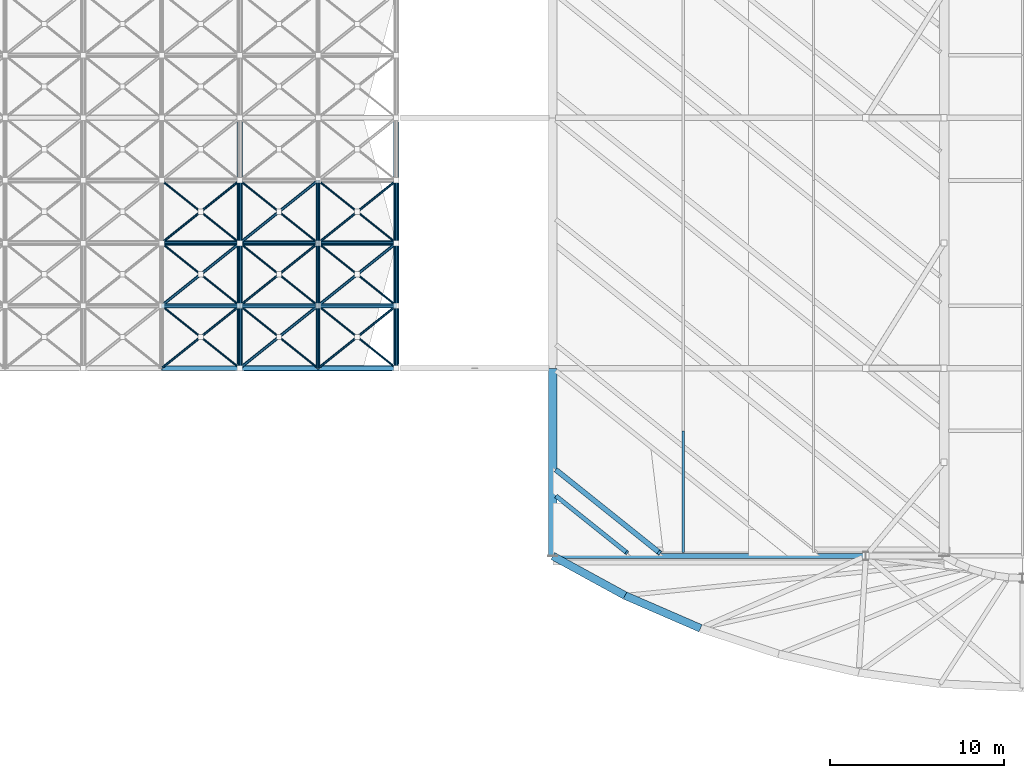
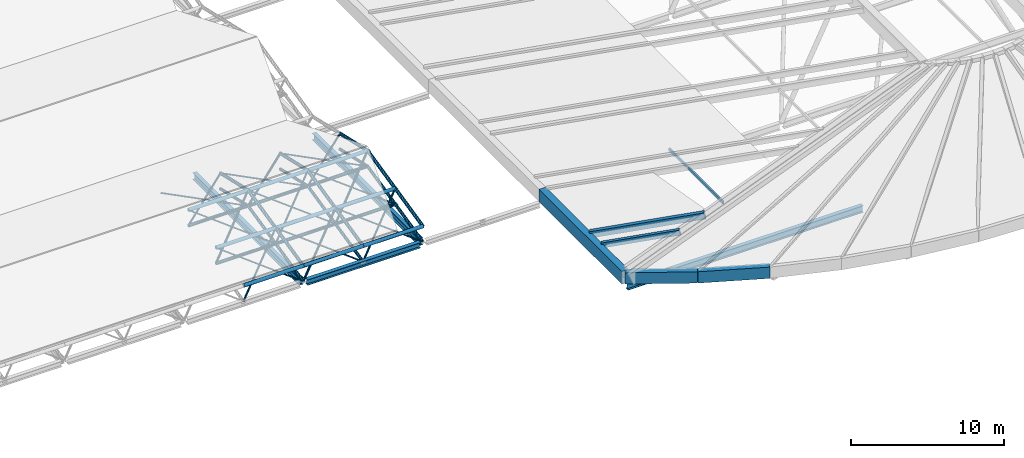
# One storey, part 12 of 110: 61 members, 9 beams.
"""IFC4 building model written with IfcOpenShell, lengths in metres."""

from ifc_helpers import new_model, si_unit, direction, frame, origin, origin_2d, place, context, subcontext, project, spatial, hollow_rectangle, hollow_circle, i_section, extrude, material, material_profile, profile_set, type_object, element, save


model = new_model("IFC4")

# Units and contexts
model_context = context("Model", 3, precision=1e-05, world=origin(), true_north=direction((0.0, 1.0)))
body_context = subcontext(model_context, "Body", "Model", "MODEL_VIEW")
ifc_project = project(units=[si_unit("LENGTHUNIT", "METRE"), si_unit("AREAUNIT", "SQUARE_METRE"), si_unit("VOLUMEUNIT", "CUBIC_METRE"), si_unit("PLANEANGLEUNIT", "RADIAN"), si_unit("MASSUNIT", "GRAM", prefix="KILO")], contexts=[model_context])

# Site, building, storey
site_placement = place(None, origin())
site = spatial("IfcSite", under=ifc_project, at=site_placement, CompositionType="ELEMENT")
building_placement = place(site_placement, origin())
building = spatial("IfcBuilding", under=site, at=building_placement, Name="Tamarisk Ironworks Central Station", CompositionType="ELEMENT")
storey_placement = place(building_placement, frame((0.0, 0.0, 17.39990234375)))
storey = spatial("IfcBuildingStorey", under=building, at=storey_placement, Name="L03", CompositionType="ELEMENT", Elevation=17.39990234375)

# Beams
ifc_material_1 = material(Name="Painted structural steel S355J2", Category="steel")
ifc_material_profile_1 = material_profile(ifc_material_1, hollow_rectangle(XDim=0.5, YDim=1.0, WallThickness=0.02197265625, at=origin_2d()), Name="BOX 500x1000x22")
ifc_profile_set_1 = profile_set([ifc_material_profile_1], Name="Painted structural steel S355J2")
beam_type_1 = type_object("IfcBeamType", Name="BM-EG01", PredefinedType="USERDEFINED", material=ifc_profile_set_1)
beam_1_placement = place(storey_placement, frame((54.0, 10.800048828125, -1.099853515625), z_axis=(0.0, 1.0, 0.0), x_axis=(-1.0, 0.0, 0.0)))
element("IfcBeam", 1, at=beam_1_placement, inside=storey, type_object=beam_type_1, Name="Concourse straight white eave girder W-001", ObjectType="TRANSFER GIRDER", PredefinedType="USERDEFINED", context=body_context, shape_type="SweptSolid", body=[
    extrude(hollow_rectangle(XDim=0.5, YDim=1.0, WallThickness=0.02197265625, at=origin_2d()), origin(), (0.0, 0.0, 1.0), 10.800048828125),
])
ifc_material_profile_2 = material_profile(ifc_material_1, hollow_rectangle(XDim=0.300048828125, YDim=0.5, WallThickness=0.02001953125, at=origin_2d()), Name="RHS 500x300x20")
ifc_profile_set_2 = profile_set([ifc_material_profile_2], Name="Painted structural steel S355J2")
beam_type_2 = type_object("IfcBeamType", Name="BM-FR01", PredefinedType="USERDEFINED", material=ifc_profile_set_2)
beam_2_placement = place(storey_placement, frame((60.125, 11.0, 1.566650390625), z_axis=(-0.74681070741, 0.597454746601, -0.292098601607), x_axis=(-0.624698988104, -0.780865656987, 0.0)))
element("IfcBeam", 2, at=beam_2_placement, inside=storey, type_object=beam_type_2, Name="Concourse paired 45-degree white fishbone roof rib 0115", ObjectType="FISHBONE ROOF RIB", PredefinedType="USERDEFINED", context=body_context, shape_type="SweptSolid", body=[
    extrude(hollow_rectangle(XDim=0.300048828125, YDim=0.5, WallThickness=0.02001953125, at=origin_2d()), origin(), (0.0, 0.0, 1.0), 7.900146484375),
])
ifc_material_profile_3 = material_profile(ifc_material_1, hollow_rectangle(XDim=0.25, YDim=0.39990234375, WallThickness=0.01611328125, at=origin_2d()), Name="RHS 400x250x16")
ifc_profile_set_3 = profile_set([ifc_material_profile_3], Name="Painted structural steel S355J2")
beam_type_3 = type_object("IfcBeamType", Name="BM-FR03", PredefinedType="USERDEFINED", material=ifc_profile_set_3)
beam_3_placement = place(storey_placement, frame((58.25, 11.0, 0.881103515625), z_axis=(-0.746810773753, 0.597457678942, -0.292092434136), x_axis=(-0.624700823792, -0.780864188418, 0.0)))
element("IfcBeam", 3, at=beam_3_placement, inside=storey, type_object=beam_type_3, Name="Concourse paired 45-degree white fishbone roof rib 0113", ObjectType="FISHBONE ROOF RIB", PredefinedType="USERDEFINED", context=body_context, shape_type="SweptSolid", body=[
    extrude(hollow_rectangle(XDim=0.25, YDim=0.39990234375, WallThickness=0.01611328125, at=origin_2d()), origin(), (0.0, 0.0, 1.0), 5.389404296875),
])
ifc_material_2 = material(Name="Structural steel S355J2", Category="steel")
ifc_material_profile_4 = material_profile(ifc_material_2, i_section(OverallWidth=0.300048828125, OverallDepth=0.5400390625, WebThickness=0.012451171875, FlangeThickness=0.02392578125, at=origin_2d()), Name="HEA 550")
ifc_profile_set_4 = profile_set([ifc_material_profile_4], Name="Structural steel S355J2")
beam_type_4 = type_object("IfcBeamType", Name="BM-G04", PredefinedType="BEAM", material=ifc_profile_set_4)
beam_4_placement = place(storey_placement, frame((36.0, 21.842041015625, -1.869873046875), z_axis=(0.0, 1.0, 0.0), x_axis=(-1.0, 0.0, 0.0)))
element("IfcBeam", 4, at=beam_4_placement, inside=storey, type_object=beam_type_4, Name="L03 primary girder Y-0598", PredefinedType="BEAM", context=body_context, shape_type="SweptSolid", body=[
    extrude(i_section(OverallWidth=0.300048828125, OverallDepth=0.5400390625, WebThickness=0.012451171875, FlangeThickness=0.02392578125, at=origin_2d()), origin(), (0.0, 0.0, 1.0), 13.916015625),
])
beam_5_placement = place(storey_placement, frame((45.0, 21.837890625, -1.869873046875), z_axis=(0.0, 1.0, 0.0), x_axis=(-1.0, 0.0, 0.0)))
element("IfcBeam", 5, at=beam_5_placement, inside=storey, type_object=beam_type_4, Name="L03 primary girder Y-0602", PredefinedType="BEAM", context=body_context, shape_type="SweptSolid", body=[
    extrude(i_section(OverallWidth=0.300048828125, OverallDepth=0.5400390625, WebThickness=0.012451171875, FlangeThickness=0.02392578125, at=origin_2d()), origin(), (0.0, 0.0, 1.0), 13.924072265625),
])
beam_6_placement = place(storey_placement, frame((54.139892578125, 10.800048828125, -1.869873046875), z_axis=(1.0, 0.0, 0.0), x_axis=(0.0, 1.0, 0.0)))
element("IfcBeam", 6, at=beam_6_placement, inside=storey, type_object=beam_type_4, Name="Concourse roof portal tie girder 017", PredefinedType="BEAM", context=body_context, shape_type="SweptSolid", body=[
    extrude(i_section(OverallWidth=0.300048828125, OverallDepth=0.5400390625, WebThickness=0.012451171875, FlangeThickness=0.02392578125, at=origin_2d()), origin(), (0.0, 0.0, 1.0), 17.72021484375),
])
ifc_material_profile_5 = material_profile(ifc_material_2, i_section(OverallWidth=0.300048828125, OverallDepth=0.43994140625, WebThickness=0.011474609375, FlangeThickness=0.02099609375, at=origin_2d()), Name="HEA 450")
ifc_profile_set_5 = profile_set([ifc_material_profile_5], Name="Structural steel S355J2")
beam_type_5 = type_object("IfcBeamType", Name="BM-G06", PredefinedType="BEAM", material=ifc_profile_set_5)
beam_7_placement = place(storey_placement, frame((36.241943359375, 21.60009765625, -1.81982421875), z_axis=(1.0, 0.0, 0.0), x_axis=(0.0, 1.0, 0.0)))
element("IfcBeam", 7, at=beam_7_placement, inside=storey, type_object=beam_type_5, Name="L03 primary girder X-0544", PredefinedType="BEAM", context=body_context, shape_type="SweptSolid", body=[
    extrude(i_section(OverallWidth=0.300048828125, OverallDepth=0.43994140625, WebThickness=0.011474609375, FlangeThickness=0.02099609375, at=origin_2d()), origin(), (0.0, 0.0, 1.0), 8.52001953125),
])
ifc_material_profile_6 = material_profile(ifc_material_1, hollow_rectangle(XDim=0.449951171875, YDim=0.89990234375, WallThickness=0.02001953125, at=origin_2d()), Name="BOX 450x900x20")
ifc_profile_set_6 = profile_set([ifc_material_profile_6], Name="Painted structural steel S355J2")
beam_type_6 = type_object("IfcBeamType", Name="BM-RG01", PredefinedType="USERDEFINED", material=ifc_profile_set_6)
for number, where, z_axis, x_axis, name in (
    (8, (54.0, 10.800048828125, -1.079833984375), (0.87736638631, -0.479821033483, 0.0), (0.479821033483, 0.87736638631, 0.0), "SOUTH rounded nose outer ring beam 01"),
    (9, (58.14990234375, 8.530517578125, -1.079833984375), (0.91733327399, -0.398120163307, 0.0), (0.398120163307, 0.91733327399, 0.0), "SOUTH rounded nose outer ring beam 02"),
):
    element("IfcBeam", number, at=place(storey_placement, frame(where, z_axis=z_axis, x_axis=x_axis)), inside=storey, type_object=beam_type_6, Name=name, ObjectType="TRANSFER GIRDER", PredefinedType="USERDEFINED", context=body_context, shape_type="SweptSolid", body=[
        extrude(hollow_rectangle(XDim=0.449951171875, YDim=0.89990234375, WallThickness=0.02001953125, at=origin_2d()), origin(), (0.0, 0.0, 1.0), 4.72998046875),
    ])

# Members
ifc_material_profile_7 = material_profile(ifc_material_1, hollow_rectangle(XDim=0.1201171875, YDim=0.219970703125, WallThickness=0.008056640625, at=origin_2d()), Name="RHS 220x120x8")
ifc_profile_set_7 = profile_set([ifc_material_profile_7], Name="Painted structural steel S355J2")
member_type_1 = type_object("IfcMemberType", Name="MB-PR01", PredefinedType="PURLIN", material=ifc_profile_set_7)
member_1_placement = place(storey_placement, frame((61.5, 11.0, 2.0693359375), z_axis=(0.0, 1.0, 0.0), x_axis=(-1.0, 0.0, 0.0)))
element("IfcMember", 10, at=member_1_placement, inside=storey, type_object=member_type_1, Name="Concourse roof glazing purlin 0029", PredefinedType="PURLIN", context=body_context, shape_type="SweptSolid", body=[
    extrude(hollow_rectangle(XDim=0.1201171875, YDim=0.219970703125, WallThickness=0.008056640625, at=origin_2d()), origin(), (0.0, 0.0, 1.0), 7.0),
])
ifc_material_3 = material(Name="Structural steel S355J2H", Category="steel")
ifc_material_profile_8 = material_profile(ifc_material_3, hollow_circle(Radius=0.136474609375, WallThickness=0.012451171875, at=origin_2d()), Name="CHS 273x12.5")
ifc_profile_set_8 = profile_set([ifc_material_profile_8], Name="Structural steel S355J2H")
member_type_2 = type_object("IfcMemberType", Name="MB-SFC01", PredefinedType="CHORD", material=ifc_profile_set_8)
for number, where, z_axis, x_axis, name in (
    (11, (31.5, 21.60009765625, -0.469970703125), (1.0, 0.0, 0.0), (0.0, 1.0, 0.0), "Train shed space-frame top chord 0082"),
    (12, (36.0, 21.60009765625, -0.469970703125), (1.0, 0.0, 0.0), (0.0, 1.0, 0.0), "Train shed space-frame top chord 0083"),
    (13, (40.5, 21.60009765625, -0.469970703125), (1.0, 0.0, 0.0), (0.0, 1.0, 0.0), "Train shed space-frame top chord 0084"),
    (14, (31.5, 25.199951171875, 0.35498046875), (1.0, 0.0, 0.0), (0.0, 1.0, 0.0), "Train shed space-frame top chord 0092"),
    (15, (36.0, 25.199951171875, 0.35498046875), (1.0, 0.0, 0.0), (0.0, 1.0, 0.0), "Train shed space-frame top chord 0093"),
    (16, (40.5, 25.199951171875, 0.35498046875), (1.0, 0.0, 0.0), (0.0, 1.0, 0.0), "Train shed space-frame top chord 0094"),
    (17, (31.5, 28.800048828125, 1.18017578125), (1.0, 0.0, 0.0), (0.0, 1.0, 0.0), "Train shed space-frame top chord 0102"),
    (18, (36.0, 28.800048828125, 1.18017578125), (1.0, 0.0, 0.0), (0.0, 1.0, 0.0), "Train shed space-frame top chord 0103"),
    (19, (40.5, 28.800048828125, 1.18017578125), (1.0, 0.0, 0.0), (0.0, 1.0, 0.0), "Train shed space-frame top chord 0104"),
):
    element("IfcMember", number, at=place(storey_placement, frame(where, z_axis=z_axis, x_axis=x_axis)), inside=storey, type_object=member_type_2, Name=name, PredefinedType="CHORD", context=body_context, shape_type="SweptSolid", body=[
        extrude(hollow_circle(Radius=0.136474609375, WallThickness=0.012451171875, at=origin_2d()), origin(), (0.0, 0.0, 1.0), 4.5),
    ])
ifc_material_profile_9 = material_profile(ifc_material_3, hollow_circle(Radius=0.122314453125, WallThickness=0.012451171875, at=origin_2d()), Name="CHS 244.5x12.5")
ifc_profile_set_9 = profile_set([ifc_material_profile_9], Name="Structural steel S355J2H")
member_type_3 = type_object("IfcMemberType", Name="MB-SFC02", PredefinedType="CHORD", material=ifc_profile_set_9)
for number, where, z_axis, x_axis, name in (
    (20, (31.5, 25.199951171875, -0.89501953125), (1.0, 0.0, 0.0), (0.0, 1.0, 0.0), "Train shed space-frame bottom chord 0008"),
    (21, (36.0, 25.199951171875, -0.89501953125), (1.0, 0.0, 0.0), (0.0, 1.0, 0.0), "Train shed space-frame bottom chord 0009"),
    (22, (40.5, 25.199951171875, -0.89501953125), (1.0, 0.0, 0.0), (0.0, 1.0, 0.0), "Train shed space-frame bottom chord 0010"),
    (23, (31.5, 28.800048828125, -0.06982421875), (1.0, 0.0, 0.0), (0.0, 1.0, 0.0), "Train shed space-frame bottom chord 0018"),
    (24, (36.0, 28.800048828125, -0.06982421875), (1.0, 0.0, 0.0), (0.0, 1.0, 0.0), "Train shed space-frame bottom chord 0019"),
    (25, (40.5, 28.800048828125, -0.06982421875), (1.0, 0.0, 0.0), (0.0, 1.0, 0.0), "Train shed space-frame bottom chord 0020"),
):
    element("IfcMember", number, at=place(storey_placement, frame(where, z_axis=z_axis, x_axis=x_axis)), inside=storey, type_object=member_type_3, Name=name, PredefinedType="CHORD", context=body_context, shape_type="SweptSolid", body=[
        extrude(hollow_circle(Radius=0.122314453125, WallThickness=0.012451171875, at=origin_2d()), origin(), (0.0, 0.0, 1.0), 4.5),
    ])
member_2_placement = place(storey_placement, frame((36.0, 21.60009765625, -0.469970703125), z_axis=(0.0, 0.974733218107, 0.223372230857), x_axis=(-1.0, 0.0, 0.0)))
element("IfcMember", 26, at=member_2_placement, inside=storey, type_object=member_type_3, Name="Train shed space-frame top transverse chord 0157", PredefinedType="CHORD", context=body_context, shape_type="SweptSolid", body=[
    extrude(hollow_circle(Radius=0.122314453125, WallThickness=0.012451171875, at=origin_2d()), origin(), (0.0, 0.0, 1.0), 3.693115234375),
])
member_3_placement = place(storey_placement, frame((36.0, 25.199951171875, 0.35498046875), z_axis=(0.0, 0.974722123001, 0.223420641241), x_axis=(-1.0, 0.0, 0.0)))
element("IfcMember", 27, at=member_3_placement, inside=storey, type_object=member_type_3, Name="Train shed space-frame top transverse chord 0158", PredefinedType="CHORD", context=body_context, shape_type="SweptSolid", body=[
    extrude(hollow_circle(Radius=0.122314453125, WallThickness=0.012451171875, at=origin_2d()), origin(), (0.0, 0.0, 1.0), 3.693359375),
])
for number, where, z_axis, x_axis, name in (
    (28, (36.0, 28.800048828125, 1.18017578125), (0.0, 0.974718823144, -0.223435037113), (-1.0, 0.0, 0.0), "Train shed space-frame top transverse chord 0159"),
    (29, (40.5, 21.60009765625, -0.469970703125), (0.0, 0.974733218107, 0.223372230857), (-1.0, 0.0, 0.0), "Train shed space-frame top transverse chord 0161"),
):
    element("IfcMember", number, at=place(storey_placement, frame(where, z_axis=z_axis, x_axis=x_axis)), inside=storey, type_object=member_type_3, Name=name, PredefinedType="CHORD", context=body_context, shape_type="SweptSolid", body=[
        extrude(hollow_circle(Radius=0.122314453125, WallThickness=0.012451171875, at=origin_2d()), origin(), (0.0, 0.0, 1.0), 3.693115234375),
    ])
member_4_placement = place(storey_placement, frame((40.5, 25.199951171875, 0.35498046875), z_axis=(0.0, 0.974722123001, 0.223420641241), x_axis=(-1.0, 0.0, 0.0)))
element("IfcMember", 30, at=member_4_placement, inside=storey, type_object=member_type_3, Name="Train shed space-frame top transverse chord 0162", PredefinedType="CHORD", context=body_context, shape_type="SweptSolid", body=[
    extrude(hollow_circle(Radius=0.122314453125, WallThickness=0.012451171875, at=origin_2d()), origin(), (0.0, 0.0, 1.0), 3.693359375),
])
for number, where, z_axis, x_axis, name in (
    (31, (40.5, 28.800048828125, 1.18017578125), (0.0, 0.974718823144, -0.223435037113), (-1.0, 0.0, 0.0), "Train shed space-frame top transverse chord 0163"),
    (32, (45.0, 21.60009765625, -0.469970703125), (0.0, 0.974733218107, 0.223372230857), (-1.0, 0.0, 0.0), "Train shed space-frame top transverse chord 0165"),
):
    element("IfcMember", number, at=place(storey_placement, frame(where, z_axis=z_axis, x_axis=x_axis)), inside=storey, type_object=member_type_3, Name=name, PredefinedType="CHORD", context=body_context, shape_type="SweptSolid", body=[
        extrude(hollow_circle(Radius=0.122314453125, WallThickness=0.012451171875, at=origin_2d()), origin(), (0.0, 0.0, 1.0), 3.693115234375),
    ])
member_5_placement = place(storey_placement, frame((45.0, 25.199951171875, 0.35498046875), z_axis=(0.0, 0.974722123001, 0.223420641241), x_axis=(-1.0, 0.0, 0.0)))
element("IfcMember", 33, at=member_5_placement, inside=storey, type_object=member_type_3, Name="Train shed space-frame top transverse chord 0166", PredefinedType="CHORD", context=body_context, shape_type="SweptSolid", body=[
    extrude(hollow_circle(Radius=0.122314453125, WallThickness=0.012451171875, at=origin_2d()), origin(), (0.0, 0.0, 1.0), 3.693359375),
])
member_6_placement = place(storey_placement, frame((45.0, 28.800048828125, 1.18017578125), z_axis=(0.0, 0.974718823144, -0.223435037113), x_axis=(-1.0, 0.0, 0.0)))
element("IfcMember", 34, at=member_6_placement, inside=storey, type_object=member_type_3, Name="Train shed space-frame top transverse chord 0167", PredefinedType="CHORD", context=body_context, shape_type="SweptSolid", body=[
    extrude(hollow_circle(Radius=0.122314453125, WallThickness=0.012451171875, at=origin_2d()), origin(), (0.0, 0.0, 1.0), 3.693115234375),
])
ifc_material_profile_10 = material_profile(ifc_material_3, hollow_circle(Radius=0.109619140625, WallThickness=0.010009765625, at=origin_2d()), Name="CHS 219.1x10")
ifc_profile_set_10 = profile_set([ifc_material_profile_10], Name="Structural steel S355J2H")
member_type_4 = type_object("IfcMemberType", Name="MB-SFC03", PredefinedType="CHORD", material=ifc_profile_set_10)
member_7_placement = place(storey_placement, frame((36.0, 21.60009765625, -1.719970703125), z_axis=(0.0, 0.974733218107, 0.223372230857), x_axis=(-1.0, 0.0, 0.0)))
element("IfcMember", 35, at=member_7_placement, inside=storey, type_object=member_type_4, Name="Train shed space-frame transverse chord 0063", PredefinedType="CHORD", context=body_context, shape_type="SweptSolid", body=[
    extrude(hollow_circle(Radius=0.109619140625, WallThickness=0.010009765625, at=origin_2d()), origin(), (0.0, 0.0, 1.0), 3.693115234375),
])
member_8_placement = place(storey_placement, frame((36.0, 25.199951171875, -0.89501953125), z_axis=(0.0, 0.974722123001, 0.223420641241), x_axis=(-1.0, 0.0, 0.0)))
element("IfcMember", 36, at=member_8_placement, inside=storey, type_object=member_type_4, Name="Train shed space-frame transverse chord 0064", PredefinedType="CHORD", context=body_context, shape_type="SweptSolid", body=[
    extrude(hollow_circle(Radius=0.109619140625, WallThickness=0.010009765625, at=origin_2d()), origin(), (0.0, 0.0, 1.0), 3.693359375),
])
for number, where, z_axis, x_axis, name in (
    (37, (36.0, 28.800048828125, -0.06982421875), (0.0, 0.974718823144, -0.223435037113), (-1.0, 0.0, 0.0), "Train shed space-frame transverse chord 0065"),
    (38, (40.5, 21.60009765625, -1.719970703125), (0.0, 0.974733218107, 0.223372230857), (-1.0, 0.0, 0.0), "Train shed space-frame transverse chord 0067"),
):
    element("IfcMember", number, at=place(storey_placement, frame(where, z_axis=z_axis, x_axis=x_axis)), inside=storey, type_object=member_type_4, Name=name, PredefinedType="CHORD", context=body_context, shape_type="SweptSolid", body=[
        extrude(hollow_circle(Radius=0.109619140625, WallThickness=0.010009765625, at=origin_2d()), origin(), (0.0, 0.0, 1.0), 3.693115234375),
    ])
member_9_placement = place(storey_placement, frame((40.5, 25.199951171875, -0.89501953125), z_axis=(0.0, 0.974722123001, 0.223420641241), x_axis=(-1.0, 0.0, 0.0)))
element("IfcMember", 39, at=member_9_placement, inside=storey, type_object=member_type_4, Name="Train shed space-frame transverse chord 0068", PredefinedType="CHORD", context=body_context, shape_type="SweptSolid", body=[
    extrude(hollow_circle(Radius=0.109619140625, WallThickness=0.010009765625, at=origin_2d()), origin(), (0.0, 0.0, 1.0), 3.693359375),
])
for number, where, z_axis, x_axis, name in (
    (40, (40.5, 28.800048828125, -0.06982421875), (0.0, 0.974718823144, -0.223435037113), (-1.0, 0.0, 0.0), "Train shed space-frame transverse chord 0069"),
    (41, (45.0, 21.60009765625, -1.719970703125), (0.0, 0.974733218107, 0.223372230857), (-1.0, 0.0, 0.0), "Train shed space-frame transverse chord 0071"),
):
    element("IfcMember", number, at=place(storey_placement, frame(where, z_axis=z_axis, x_axis=x_axis)), inside=storey, type_object=member_type_4, Name=name, PredefinedType="CHORD", context=body_context, shape_type="SweptSolid", body=[
        extrude(hollow_circle(Radius=0.109619140625, WallThickness=0.010009765625, at=origin_2d()), origin(), (0.0, 0.0, 1.0), 3.693115234375),
    ])
member_10_placement = place(storey_placement, frame((45.0, 25.199951171875, -0.89501953125), z_axis=(0.0, 0.974722123001, 0.223420641241), x_axis=(-1.0, 0.0, 0.0)))
element("IfcMember", 42, at=member_10_placement, inside=storey, type_object=member_type_4, Name="Train shed space-frame transverse chord 0072", PredefinedType="CHORD", context=body_context, shape_type="SweptSolid", body=[
    extrude(hollow_circle(Radius=0.109619140625, WallThickness=0.010009765625, at=origin_2d()), origin(), (0.0, 0.0, 1.0), 3.693359375),
])
member_11_placement = place(storey_placement, frame((45.0, 28.800048828125, -0.06982421875), z_axis=(0.0, 0.974718823144, -0.223435037113), x_axis=(-1.0, 0.0, 0.0)))
element("IfcMember", 43, at=member_11_placement, inside=storey, type_object=member_type_4, Name="Train shed space-frame transverse chord 0073", PredefinedType="CHORD", context=body_context, shape_type="SweptSolid", body=[
    extrude(hollow_circle(Radius=0.109619140625, WallThickness=0.010009765625, at=origin_2d()), origin(), (0.0, 0.0, 1.0), 3.693115234375),
])
ifc_material_profile_11 = material_profile(ifc_material_3, hollow_circle(Radius=0.084228515625, WallThickness=0.010009765625, at=origin_2d()), Name="CHS 168.3x10")
ifc_profile_set_11 = profile_set([ifc_material_profile_11], Name="Structural steel S355J2H")
member_type_5 = type_object("IfcMemberType", Name="MB-SFD01", PredefinedType="BRACE", material=ifc_profile_set_11)
member_12_placement = place(storey_placement, frame((31.5, 25.199951171875, -0.89501953125), z_axis=(0.734679055902, 0.587759188278, 0.338800562889), x_axis=(-0.624705380279, 0.780860543151, 0.0)))
element("IfcMember", 44, at=member_12_placement, inside=storey, type_object=member_type_5, Name="Train shed space-frame diagonal 0227", PredefinedType="BRACE", context=body_context, shape_type="SweptSolid", body=[
    extrude(hollow_circle(Radius=0.084228515625, WallThickness=0.010009765625, at=origin_2d()), origin(), (0.0, 0.0, 1.0), 6.125244140625),
])
member_13_placement = place(storey_placement, frame((36.0, 21.60009765625, -1.719970703125), z_axis=(0.734706189143, 0.587741035097, 0.338773215143), x_axis=(-0.624679547852, 0.780881208953, 0.0)))
element("IfcMember", 45, at=member_13_placement, inside=storey, type_object=member_type_5, Name="Train shed space-frame diagonal 0233", PredefinedType="BRACE", context=body_context, shape_type="SweptSolid", body=[
    extrude(hollow_circle(Radius=0.084228515625, WallThickness=0.010009765625, at=origin_2d()), origin(), (0.0, 0.0, 1.0), 6.125),
])
member_14_placement = place(storey_placement, frame((36.0, 28.800048828125, -0.06982421875), z_axis=(0.778768143722, 0.622989164452, 0.073516523984), x_axis=(-0.624679547852, 0.780881208953, 0.0)))
element("IfcMember", 46, at=member_14_placement, inside=storey, type_object=member_type_5, Name="Train shed space-frame diagonal 0237", PredefinedType="BRACE", context=body_context, shape_type="SweptSolid", body=[
    extrude(hollow_circle(Radius=0.084228515625, WallThickness=0.010009765625, at=origin_2d()), origin(), (0.0, 0.0, 1.0), 5.7783203125),
])
member_15_placement = place(storey_placement, frame((40.5, 25.199951171875, -0.89501953125), z_axis=(0.734679055902, 0.587759188278, 0.338800562889), x_axis=(-0.624705380279, 0.780860543151, 0.0)))
element("IfcMember", 47, at=member_15_placement, inside=storey, type_object=member_type_5, Name="Train shed space-frame diagonal 0243", PredefinedType="BRACE", context=body_context, shape_type="SweptSolid", body=[
    extrude(hollow_circle(Radius=0.084228515625, WallThickness=0.010009765625, at=origin_2d()), origin(), (0.0, 0.0, 1.0), 6.125244140625),
])
ifc_material_profile_12 = material_profile(ifc_material_3, hollow_circle(Radius=0.06982421875, WallThickness=0.008056640625, at=origin_2d()), Name="CHS 139.7x8")
ifc_profile_set_12 = profile_set([ifc_material_profile_12], Name="Structural steel S355J2H")
member_type_6 = type_object("IfcMemberType", Name="MB-SFD02", PredefinedType="BRACE", material=ifc_profile_set_12)
member_16_placement = place(storey_placement, frame((31.5, 21.60009765625, -1.719970703125), z_axis=(0.734706189143, 0.587741035097, 0.338773215143), x_axis=(-0.624679547852, 0.780881208953, 0.0)))
element("IfcMember", 48, at=member_16_placement, inside=storey, type_object=member_type_6, Name="Train shed space-frame diagonal 0225", PredefinedType="BRACE", context=body_context, shape_type="SweptSolid", body=[
    extrude(hollow_circle(Radius=0.06982421875, WallThickness=0.008056640625, at=origin_2d()), origin(), (0.0, 0.0, 1.0), 6.125),
])
member_17_placement = place(storey_placement, frame((31.5, 28.800048828125, -0.06982421875), z_axis=(0.778768143722, 0.622989164452, 0.073516523984), x_axis=(-0.624679547852, 0.780881208953, 0.0)))
element("IfcMember", 49, at=member_17_placement, inside=storey, type_object=member_type_6, Name="Train shed space-frame diagonal 0229", PredefinedType="BRACE", context=body_context, shape_type="SweptSolid", body=[
    extrude(hollow_circle(Radius=0.06982421875, WallThickness=0.008056640625, at=origin_2d()), origin(), (0.0, 0.0, 1.0), 5.7783203125),
])
member_18_placement = place(storey_placement, frame((36.0, 25.199951171875, -0.89501953125), z_axis=(0.734679055902, 0.587759188278, 0.338800562889), x_axis=(-0.624705380279, 0.780860543151, 0.0)))
element("IfcMember", 50, at=member_18_placement, inside=storey, type_object=member_type_6, Name="Train shed space-frame diagonal 0235", PredefinedType="BRACE", context=body_context, shape_type="SweptSolid", body=[
    extrude(hollow_circle(Radius=0.06982421875, WallThickness=0.008056640625, at=origin_2d()), origin(), (0.0, 0.0, 1.0), 6.125244140625),
])
member_19_placement = place(storey_placement, frame((40.5, 21.60009765625, -1.719970703125), z_axis=(0.734706189143, 0.587741035097, 0.338773215143), x_axis=(-0.624679547852, 0.780881208953, 0.0)))
element("IfcMember", 51, at=member_19_placement, inside=storey, type_object=member_type_6, Name="Train shed space-frame diagonal 0241", PredefinedType="BRACE", context=body_context, shape_type="SweptSolid", body=[
    extrude(hollow_circle(Radius=0.06982421875, WallThickness=0.008056640625, at=origin_2d()), origin(), (0.0, 0.0, 1.0), 6.125),
])
member_20_placement = place(storey_placement, frame((40.5, 28.800048828125, -0.06982421875), z_axis=(0.778768143722, 0.622989164452, 0.073516523984), x_axis=(-0.624679547852, 0.780881208953, 0.0)))
element("IfcMember", 52, at=member_20_placement, inside=storey, type_object=member_type_6, Name="Train shed space-frame diagonal 0245", PredefinedType="BRACE", context=body_context, shape_type="SweptSolid", body=[
    extrude(hollow_circle(Radius=0.06982421875, WallThickness=0.008056640625, at=origin_2d()), origin(), (0.0, 0.0, 1.0), 5.7783203125),
])
ifc_material_profile_13 = material_profile(ifc_material_3, hollow_circle(Radius=0.05712890625, WallThickness=0.00634765625, at=origin_2d()), Name="CHS 114.3x6.3")
ifc_profile_set_13 = profile_set([ifc_material_profile_13], Name="Structural steel S355J2H")
member_type_7 = type_object("IfcMemberType", Name="MB-SFD03", PredefinedType="BRACE", material=ifc_profile_set_13)
for number, where, z_axis, x_axis, name in (
    (53, (36.0, 21.60009765625, -1.719970703125), (-0.734712152648, 0.587704782363, 0.33882317149), (-0.624652959802, -0.780902477785, 0.0), "Train shed space-frame split counter-diagonal lower 0226"),
    (54, (33.709716796875, 23.432373046875, -0.663818359375), (-0.734732358486, 0.587720945248, 0.338751312779), (-0.624652959802, -0.780902477785, 0.0), "Train shed space-frame split counter-diagonal upper 0226"),
):
    element("IfcMember", number, at=place(storey_placement, frame(where, z_axis=z_axis, x_axis=x_axis)), inside=storey, type_object=member_type_7, Name=name, PredefinedType="BRACE", context=body_context, shape_type="SweptSolid", body=[
        extrude(hollow_circle(Radius=0.05712890625, WallThickness=0.00634765625, at=origin_2d()), origin(), (0.0, 0.0, 1.0), 3.007568359375),
    ])
for number, where, z_axis, x_axis, name in (
    (55, (36.0, 25.199951171875, -0.89501953125), (-0.734677102003, 0.587757915766, 0.338807007376), (-0.624705568642, -0.780860392457, 0.0), "Train shed space-frame split counter-diagonal lower 0228"),
    (56, (33.709716796875, 27.0322265625, 0.1611328125), (-0.734677102003, 0.587757915766, 0.338807007376), (-0.624705568642, -0.780860392457, 0.0), "Train shed space-frame split counter-diagonal upper 0228"),
):
    element("IfcMember", number, at=place(storey_placement, frame(where, z_axis=z_axis, x_axis=x_axis)), inside=storey, type_object=member_type_7, Name=name, PredefinedType="BRACE", context=body_context, shape_type="SweptSolid", body=[
        extrude(hollow_circle(Radius=0.05712890625, WallThickness=0.00634765625, at=origin_2d()), origin(), (0.0, 0.0, 1.0), 3.0078125),
    ])
for number, where, z_axis, x_axis, name in (
    (57, (36.0, 28.800048828125, -0.06982421875), (-0.778786711003, 0.622960457248, 0.073563084968), (-0.624652913247, -0.780902515025, 0.0), "Train shed space-frame split counter-diagonal lower 0230"),
    (58, (33.707275390625, 30.63427734375, 0.146484375), (-0.778786711003, 0.622960457248, 0.073563084968), (-0.624652913247, -0.780902515025, 0.0), "Train shed space-frame split counter-diagonal upper 0230"),
):
    element("IfcMember", number, at=place(storey_placement, frame(where, z_axis=z_axis, x_axis=x_axis)), inside=storey, type_object=member_type_7, Name=name, PredefinedType="BRACE", context=body_context, shape_type="SweptSolid", body=[
        extrude(hollow_circle(Radius=0.05712890625, WallThickness=0.00634765625, at=origin_2d()), origin(), (0.0, 0.0, 1.0), 2.834228515625),
    ])
for number, where, z_axis, x_axis, name in (
    (59, (40.5, 21.60009765625, -1.719970703125), (-0.734712152648, 0.587704782363, 0.33882317149), (-0.624652959802, -0.780902477785, 0.0), "Train shed space-frame split counter-diagonal lower 0234"),
    (60, (38.209716796875, 23.432373046875, -0.663818359375), (-0.734732358486, 0.587720945248, 0.338751312779), (-0.624652959802, -0.780902477785, 0.0), "Train shed space-frame split counter-diagonal upper 0234"),
):
    element("IfcMember", number, at=place(storey_placement, frame(where, z_axis=z_axis, x_axis=x_axis)), inside=storey, type_object=member_type_7, Name=name, PredefinedType="BRACE", context=body_context, shape_type="SweptSolid", body=[
        extrude(hollow_circle(Radius=0.05712890625, WallThickness=0.00634765625, at=origin_2d()), origin(), (0.0, 0.0, 1.0), 3.007568359375),
    ])
for number, where, z_axis, x_axis, name in (
    (61, (40.5, 25.199951171875, -0.89501953125), (-0.734677102003, 0.587757915766, 0.338807007376), (-0.624705568642, -0.780860392457, 0.0), "Train shed space-frame split counter-diagonal lower 0236"),
    (62, (38.209716796875, 27.0322265625, 0.1611328125), (-0.734677102003, 0.587757915766, 0.338807007376), (-0.624705568642, -0.780860392457, 0.0), "Train shed space-frame split counter-diagonal upper 0236"),
):
    element("IfcMember", number, at=place(storey_placement, frame(where, z_axis=z_axis, x_axis=x_axis)), inside=storey, type_object=member_type_7, Name=name, PredefinedType="BRACE", context=body_context, shape_type="SweptSolid", body=[
        extrude(hollow_circle(Radius=0.05712890625, WallThickness=0.00634765625, at=origin_2d()), origin(), (0.0, 0.0, 1.0), 3.0078125),
    ])
for number, where, z_axis, x_axis, name in (
    (63, (40.5, 28.800048828125, -0.06982421875), (-0.778786711003, 0.622960457248, 0.073563084968), (-0.624652913247, -0.780902515025, 0.0), "Train shed space-frame split counter-diagonal lower 0238"),
    (64, (38.207275390625, 30.63427734375, 0.146484375), (-0.778786711003, 0.622960457248, 0.073563084968), (-0.624652913247, -0.780902515025, 0.0), "Train shed space-frame split counter-diagonal upper 0238"),
):
    element("IfcMember", number, at=place(storey_placement, frame(where, z_axis=z_axis, x_axis=x_axis)), inside=storey, type_object=member_type_7, Name=name, PredefinedType="BRACE", context=body_context, shape_type="SweptSolid", body=[
        extrude(hollow_circle(Radius=0.05712890625, WallThickness=0.00634765625, at=origin_2d()), origin(), (0.0, 0.0, 1.0), 2.834228515625),
    ])
for number, where, z_axis, x_axis, name in (
    (65, (45.0, 21.60009765625, -1.719970703125), (-0.734712152648, 0.587704782363, 0.33882317149), (-0.624652959802, -0.780902477785, 0.0), "Train shed space-frame split counter-diagonal lower 0242"),
    (66, (42.709716796875, 23.432373046875, -0.663818359375), (-0.734732358486, 0.587720945248, 0.338751312779), (-0.624652959802, -0.780902477785, 0.0), "Train shed space-frame split counter-diagonal upper 0242"),
):
    element("IfcMember", number, at=place(storey_placement, frame(where, z_axis=z_axis, x_axis=x_axis)), inside=storey, type_object=member_type_7, Name=name, PredefinedType="BRACE", context=body_context, shape_type="SweptSolid", body=[
        extrude(hollow_circle(Radius=0.05712890625, WallThickness=0.00634765625, at=origin_2d()), origin(), (0.0, 0.0, 1.0), 3.007568359375),
    ])
for number, where, z_axis, x_axis, name in (
    (67, (45.0, 25.199951171875, -0.89501953125), (-0.734677102003, 0.587757915766, 0.338807007376), (-0.624705568642, -0.780860392457, 0.0), "Train shed space-frame split counter-diagonal lower 0244"),
    (68, (42.709716796875, 27.0322265625, 0.1611328125), (-0.734677102003, 0.587757915766, 0.338807007376), (-0.624705568642, -0.780860392457, 0.0), "Train shed space-frame split counter-diagonal upper 0244"),
):
    element("IfcMember", number, at=place(storey_placement, frame(where, z_axis=z_axis, x_axis=x_axis)), inside=storey, type_object=member_type_7, Name=name, PredefinedType="BRACE", context=body_context, shape_type="SweptSolid", body=[
        extrude(hollow_circle(Radius=0.05712890625, WallThickness=0.00634765625, at=origin_2d()), origin(), (0.0, 0.0, 1.0), 3.0078125),
    ])
for number, where, z_axis, x_axis, name in (
    (69, (45.0, 28.800048828125, -0.06982421875), (-0.778786711003, 0.622960457248, 0.073563084968), (-0.624652913247, -0.780902515025, 0.0), "Train shed space-frame split counter-diagonal lower 0246"),
    (70, (42.707275390625, 30.63427734375, 0.146484375), (-0.778786711003, 0.622960457248, 0.073563084968), (-0.624652913247, -0.780902515025, 0.0), "Train shed space-frame split counter-diagonal upper 0246"),
):
    element("IfcMember", number, at=place(storey_placement, frame(where, z_axis=z_axis, x_axis=x_axis)), inside=storey, type_object=member_type_7, Name=name, PredefinedType="BRACE", context=body_context, shape_type="SweptSolid", body=[
        extrude(hollow_circle(Radius=0.05712890625, WallThickness=0.00634765625, at=origin_2d()), origin(), (0.0, 0.0, 1.0), 2.834228515625),
    ])

save(model, "model.ifc")
